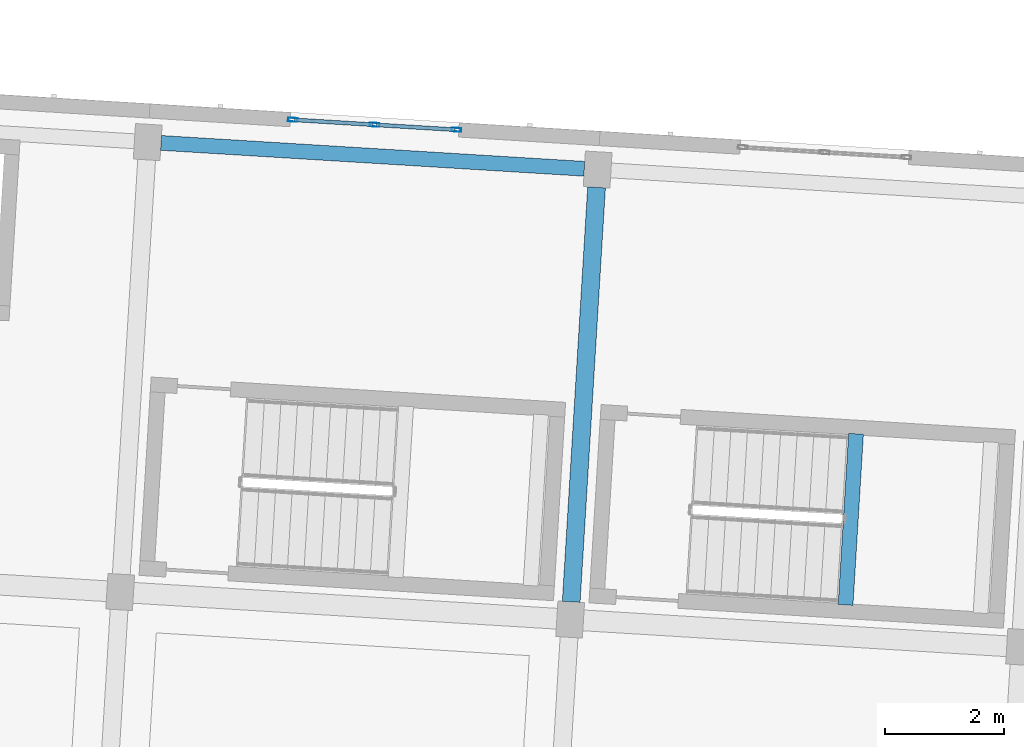
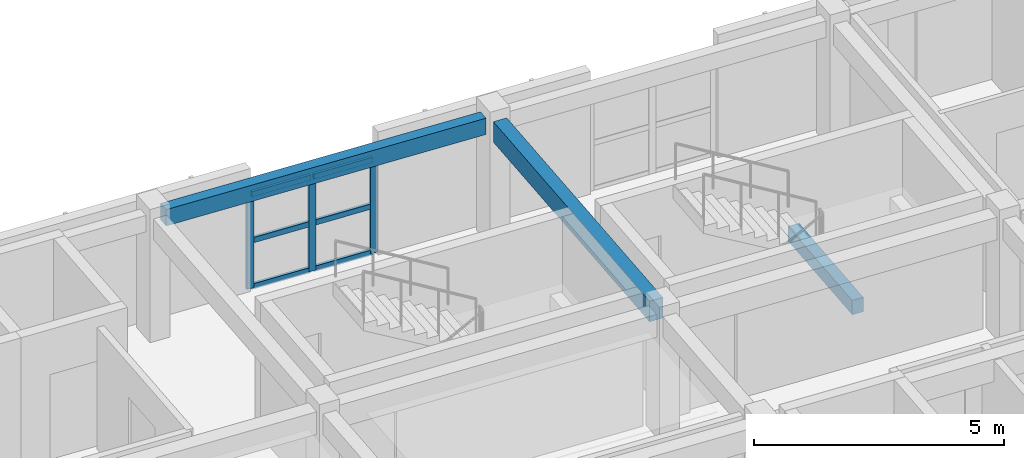
# One storey, part 7 of 64: 9 members, 3 beams, 1 element without a shape of its own.
"""IFC4 building model written with IfcOpenShell, lengths in metres."""

from ifc_helpers import new_model, si_unit, direction, frame, origin, origin_2d, place, context, subcontext, project, spatial, rectangle, hollow_rectangle, extrude, material, material_profile, profile_set, type_object, element, aggregate, save


model = new_model("IFC4")

# Units and contexts
model_context = context("Model", 3, precision=1e-05, world=origin(), true_north=direction((0.0, 1.0)))
body_context = subcontext(model_context, "Body", "Model", "MODEL_VIEW")
ifc_project = project(units=[si_unit("LENGTHUNIT", "METRE"), si_unit("AREAUNIT", "SQUARE_METRE"), si_unit("VOLUMEUNIT", "CUBIC_METRE"), si_unit("PLANEANGLEUNIT", "RADIAN"), si_unit("MASSUNIT", "GRAM", prefix="KILO")], contexts=[model_context])

# Site, building, storey
site_placement = place(None, origin())
site = spatial("IfcSite", under=ifc_project, at=site_placement, CompositionType="ELEMENT")
building_placement = place(site_placement, origin())
building = spatial("IfcBuilding", under=site, at=building_placement, Name="Kestramere Prow Commons", CompositionType="ELEMENT")
storey_placement = place(building_placement, frame((0.0, 0.0, 24.64990234375)))
storey = spatial("IfcBuildingStorey", under=building, at=storey_placement, Name="L07", CompositionType="ELEMENT", Elevation=24.64990234375)

# Beams
ifc_material_1 = material(Name="Concrete C40/50", Category="concrete")
ifc_material_profile_1 = material_profile(ifc_material_1, rectangle(XDim=0.25, YDim=0.35009765625, at=origin_2d()), Name="PC-BM 250x350")
ifc_profile_set_1 = profile_set([ifc_material_profile_1], Name="Concrete C40/50")
beam_type_1 = type_object("IfcBeamType", Name="BM-ST-TRIM", PredefinedType="BEAM", material=ifc_profile_set_1)
beam_1_placement = place(storey_placement, frame((80.0478515625, 57.796630859375, 1.25), z_axis=(0.06107914562, 0.998132926003, 0.0), x_axis=(-0.998132926003, 0.06107914562, 0.0)))
element("IfcBeam", 1, at=beam_1_placement, inside=storey, type_object=beam_type_1, Name="ST-C2 L07 Landing Trimmer Beam 1A", PredefinedType="BEAM", context=body_context, shape_type="SweptSolid", body=[
    extrude(rectangle(XDim=0.25, YDim=0.35009765625, at=origin_2d()), origin(), (0.0, 0.0, 1.0), 2.889892578125),
])
ifc_material_2 = material(Name="Precast concrete C40/50", Category="concrete")
ifc_material_profile_2 = material_profile(ifc_material_2, rectangle(XDim=0.300048828125, YDim=0.5, at=origin_2d()), Name="PC-BM 300x500")
ifc_profile_set_2 = profile_set([ifc_material_profile_2], Name="Precast concrete C40/50")
beam_type_2 = type_object("IfcBeamType", Name="BM-TIE-01 PC-BM 300x500", PredefinedType="BEAM", material=ifc_profile_set_2)
beam_2_placement = place(storey_placement, frame((75.422607421875, 57.84912109375, 2.75), z_axis=(0.061034188237, 0.998135676081, 0.0), x_axis=(-0.998135676081, 0.061034188237, 0.0)))
element("IfcBeam", 2, at=beam_2_placement, inside=storey, type_object=beam_type_2, Name="Block C L07 Transverse Beam 3-3", PredefinedType="BEAM", context=body_context, shape_type="SweptSolid", body=[
    extrude(rectangle(XDim=0.300048828125, YDim=0.5, at=origin_2d()), origin(), (0.0, 0.0, 1.0), 7.0),
])

# Curtain wall, members
ifc_material_3 = material(Name="Anodised Aluminium and Low-E Glass", Category="aluminium")
curtain_wall_type = type_object("IfcCurtainWallType", Name="CW-03 Glazed Curtain Wall 2830x2320", PredefinedType="USERDEFINED", material=ifc_material_3)
curtain_wall_placement = place(storey_placement, origin())
curtain_wall = element("IfcCurtainWall", 3, at=curtain_wall_placement, inside=storey, type_object=curtain_wall_type, Name="Block C L07 Stairwell Vertical Glazing 2", ObjectType="GLAZED CURTAIN WALL", PredefinedType="USERDEFINED")
ifc_material_4 = material(Name="Anodised Aluminium 6063-T6", Category="aluminium")
ifc_material_profile_3 = material_profile(ifc_material_4, hollow_rectangle(XDim=0.06494140625, YDim=0.159912109375, WallThickness=0.00390625, at=origin_2d()), Name="ALU-MUL 65x160")
ifc_profile_set_3 = profile_set([ifc_material_profile_3], Name="Anodised Aluminium 6063-T6")
member_type_1 = type_object("IfcMemberType", Name="CW-MUL-65x160", PredefinedType="MULLION", material=ifc_profile_set_3)
member_1_placement = place(storey_placement, frame((70.7275390625, 65.975830078125, 0.0), z_axis=(0.0, 0.0, 1.0), x_axis=(0.061048420708, 0.99813480569, 0.0)))
member_1 = element("IfcMember", 4, at=member_1_placement, type_object=member_type_1, Name="CW-03 mullion 1", PredefinedType="MULLION", context=body_context, shape_type="SweptSolid", body=[
    extrude(hollow_rectangle(XDim=0.06494140625, YDim=0.159912109375, WallThickness=0.00390625, at=origin_2d()), origin(), (0.0, 0.0, 1.0), 2.320068359375),
])
member_2_placement = place(storey_placement, frame((72.107421875, 65.8916015625, 0.0), z_axis=(0.0, 0.0, 1.0), x_axis=(0.061048420708, 0.99813480569, 0.0)))
member_2 = element("IfcMember", 5, at=member_2_placement, type_object=member_type_1, Name="CW-03 mullion 2", PredefinedType="MULLION", context=body_context, shape_type="SweptSolid", body=[
    extrude(hollow_rectangle(XDim=0.06494140625, YDim=0.159912109375, WallThickness=0.00390625, at=origin_2d()), origin(), (0.0, 0.0, 1.0), 2.320068359375),
])
member_3_placement = place(storey_placement, frame((73.4873046875, 65.80712890625, 0.0), z_axis=(0.0, 0.0, 1.0), x_axis=(0.061048420708, 0.99813480569, 0.0)))
member_3 = element("IfcMember", 6, at=member_3_placement, type_object=member_type_1, Name="CW-03 mullion 3", PredefinedType="MULLION", context=body_context, shape_type="SweptSolid", body=[
    extrude(hollow_rectangle(XDim=0.06494140625, YDim=0.159912109375, WallThickness=0.00390625, at=origin_2d()), origin(), (0.0, 0.0, 1.0), 2.320068359375),
])
ifc_material_profile_4 = material_profile(ifc_material_4, hollow_rectangle(XDim=0.06494140625, YDim=0.1298828125, WallThickness=0.00390625, at=origin_2d()), Name="ALU-TRN 65x130")
ifc_profile_set_4 = profile_set([ifc_material_profile_4], Name="Anodised Aluminium 6063-T6")
member_type_2 = type_object("IfcMemberType", Name="CW-TRN-65x130", PredefinedType="USERDEFINED", material=ifc_profile_set_4)
member_4_placement = place(storey_placement, frame((70.759765625, 65.973876953125, 0.03271484375), z_axis=(0.998140248091, -0.060959372865, 0.0), x_axis=(0.060959372865, 0.998140248091, 0.0)))
member_4 = element("IfcMember", 7, at=member_4_placement, type_object=member_type_2, Name="CW-03 transom 1.1", ObjectType="TRANSOM", PredefinedType="USERDEFINED", context=body_context, shape_type="SweptSolid", body=[
    extrude(hollow_rectangle(XDim=0.06494140625, YDim=0.1298828125, WallThickness=0.00390625, at=origin_2d()), origin(), (0.0, 0.0, 1.0), 1.317626953125),
])
member_5_placement = place(storey_placement, frame((70.759765625, 65.973876953125, 1.16015625), z_axis=(0.998140248091, -0.060959372865, 0.0), x_axis=(0.060959372865, 0.998140248091, 0.0)))
member_5 = element("IfcMember", 8, at=member_5_placement, type_object=member_type_2, Name="CW-03 transom 1.2", ObjectType="TRANSOM", PredefinedType="USERDEFINED", context=body_context, shape_type="SweptSolid", body=[
    extrude(hollow_rectangle(XDim=0.06494140625, YDim=0.1298828125, WallThickness=0.00390625, at=origin_2d()), origin(), (0.0, 0.0, 1.0), 1.317626953125),
])
member_6_placement = place(storey_placement, frame((70.759765625, 65.973876953125, 2.28759765625), z_axis=(0.998140248091, -0.060959372865, 0.0), x_axis=(0.060959372865, 0.998140248091, 0.0)))
member_6 = element("IfcMember", 9, at=member_6_placement, type_object=member_type_2, Name="CW-03 transom 1.3", ObjectType="TRANSOM", PredefinedType="USERDEFINED", context=body_context, shape_type="SweptSolid", body=[
    extrude(hollow_rectangle(XDim=0.06494140625, YDim=0.1298828125, WallThickness=0.00390625, at=origin_2d()), origin(), (0.0, 0.0, 1.0), 1.317626953125),
])
member_7_placement = place(storey_placement, frame((72.139892578125, 65.889404296875, 0.03271484375), z_axis=(0.998139559366, -0.06097064891, 0.0), x_axis=(0.06097064891, 0.998139559366, 0.0)))
member_7 = element("IfcMember", 10, at=member_7_placement, type_object=member_type_2, Name="CW-03 transom 2.1", ObjectType="TRANSOM", PredefinedType="USERDEFINED", context=body_context, shape_type="SweptSolid", body=[
    extrude(hollow_rectangle(XDim=0.06494140625, YDim=0.1298828125, WallThickness=0.00390625, at=origin_2d()), origin(), (0.0, 0.0, 1.0), 1.3173828125),
])
member_8_placement = place(storey_placement, frame((72.139892578125, 65.889404296875, 1.16015625), z_axis=(0.998139559366, -0.06097064891, 0.0), x_axis=(0.06097064891, 0.998139559366, 0.0)))
member_8 = element("IfcMember", 11, at=member_8_placement, type_object=member_type_2, Name="CW-03 transom 2.2", ObjectType="TRANSOM", PredefinedType="USERDEFINED", context=body_context, shape_type="SweptSolid", body=[
    extrude(hollow_rectangle(XDim=0.06494140625, YDim=0.1298828125, WallThickness=0.00390625, at=origin_2d()), origin(), (0.0, 0.0, 1.0), 1.3173828125),
])
member_9_placement = place(storey_placement, frame((72.139892578125, 65.889404296875, 2.28759765625), z_axis=(0.998139559366, -0.06097064891, 0.0), x_axis=(0.06097064891, 0.998139559366, 0.0)))
member_9 = element("IfcMember", 12, at=member_9_placement, type_object=member_type_2, Name="CW-03 transom 2.3", ObjectType="TRANSOM", PredefinedType="USERDEFINED", context=body_context, shape_type="SweptSolid", body=[
    extrude(hollow_rectangle(XDim=0.06494140625, YDim=0.1298828125, WallThickness=0.00390625, at=origin_2d()), origin(), (0.0, 0.0, 1.0), 1.3173828125),
])
aggregate(curtain_wall, [member_1, member_2, member_3, member_4, member_5, member_6, member_7, member_8, member_9])

# Beam
ifc_material_profile_5 = material_profile(ifc_material_2, rectangle(XDim=0.25, YDim=0.39990234375, at=origin_2d()), Name="PC-SP 250x400")
ifc_profile_set_5 = profile_set([ifc_material_profile_5], Name="Precast concrete C40/50")
beam_type_3 = type_object("IfcBeamType", Name="SP-EXT-01 PC-SP 250x400", PredefinedType="SPANDREL", material=ifc_profile_set_5)
beam_3_placement = place(storey_placement, frame((68.5068359375, 65.585693359375, 2.800048828125), z_axis=(0.998134602239, -0.061051747017, 0.0), x_axis=(0.061051747017, 0.998134602239, 0.0)))
element("IfcBeam", 13, at=beam_3_placement, inside=storey, type_object=beam_type_3, Name="Block C L07 Longitudinal Beam 4-2", PredefinedType="SPANDREL", context=body_context, shape_type="SweptSolid", body=[
    extrude(rectangle(XDim=0.25, YDim=0.39990234375, at=origin_2d()), origin(), (0.0, 0.0, 1.0), 7.150146484375),
])

save(model, "model.ifc")
